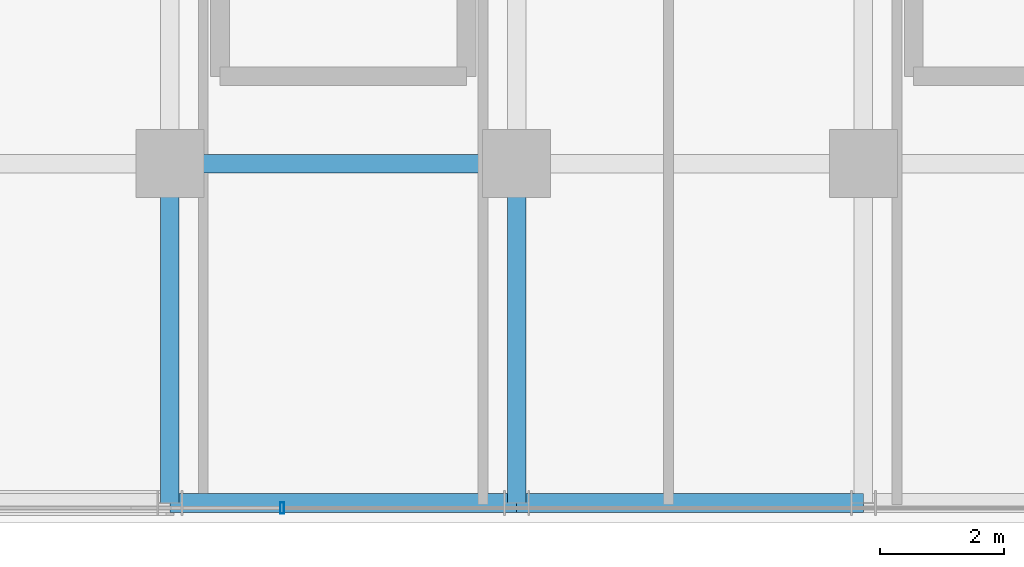
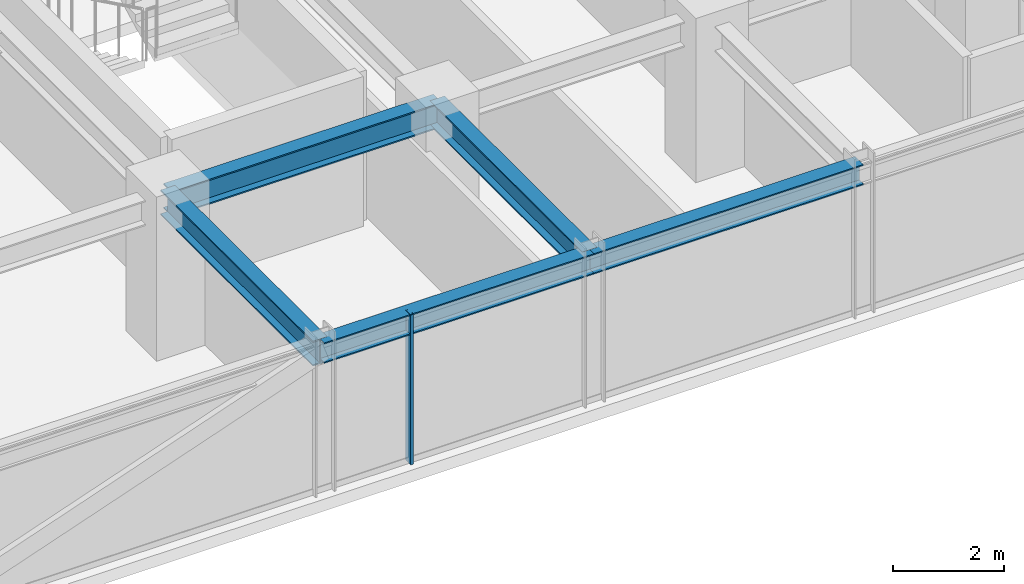
# One storey, part 4 of 32: 5 beams, 1 member, 1 element without a shape of its own.
"""IFC4 building model written with IfcOpenShell, lengths in metres."""

from ifc_helpers import new_model, si_unit, direction, frame, origin, origin_2d, place, context, subcontext, project, spatial, hollow_rectangle, i_section, extrude, source, transform, mapped, material, material_profile, profile_set, type_object, element, aggregate, save


model = new_model("IFC4")

# Units and contexts
model_context = context("Model", 3, precision=1e-05, world=origin(), true_north=direction((0.0, 1.0)))
body_context = subcontext(model_context, "Body", "Model", "MODEL_VIEW")
ifc_project = project(units=[si_unit("LENGTHUNIT", "METRE"), si_unit("AREAUNIT", "SQUARE_METRE"), si_unit("VOLUMEUNIT", "CUBIC_METRE"), si_unit("PLANEANGLEUNIT", "RADIAN"), si_unit("MASSUNIT", "GRAM", prefix="KILO")], contexts=[model_context])

# Site, building, storey
site_placement = place(None, origin())
site = spatial("IfcSite", under=ifc_project, at=site_placement, CompositionType="ELEMENT")
building_placement = place(site_placement, origin())
building = spatial("IfcBuilding", under=site, at=building_placement, Name="Nahalor Promenade Grand Hotel", CompositionType="ELEMENT")
storey_placement = place(building_placement, frame((0.0, 0.0, 196.449951171875)))
storey = spatial("IfcBuildingStorey", under=building, at=storey_placement, Name="L50", CompositionType="ELEMENT", Elevation=196.449951171875)

# Beams
ifc_material_1 = material(Name="Steel S355JR", Category="steel")
ifc_material_profile_1 = material_profile(ifc_material_1, i_section(OverallWidth=0.3, OverallDepth=0.55, WebThickness=0.015, FlangeThickness=0.029, at=origin_2d()), Name="HEB 550")
ifc_profile_set_1 = profile_set([ifc_material_profile_1], Name="Steel S355JR")
beam_type_1 = type_object("IfcBeamType", Name="Beam-Girder-HEB550", PredefinedType="BEAM", material=ifc_profile_set_1)
shared_shape_1 = source(origin(), body_context, "Body", "SweptSolid", [
    extrude(i_section(OverallWidth=0.3, OverallDepth=0.55, WebThickness=0.015, FlangeThickness=0.029, at=origin_2d()), origin(), (0.0, 0.0, 1.0), 5.599853515625),
])
beam_1_placement = place(storey_placement, frame((-8.39990234375, -17.0, 3.01513671875), z_axis=(1.0, 0.0, 0.0), x_axis=(0.0, 1.0, 0.0)))
element("IfcBeam", 1, at=beam_1_placement, inside=storey, type_object=beam_type_1, Name="BM-L50-GX-0-2", PredefinedType="BEAM", context=body_context, shape_type="MappedRepresentation", body=[
    mapped(shared_shape_1, transform((0.0, 0.0, 0.0), scale=1.0)),
])
shared_shape_2 = source(origin(), body_context, "Body", "SweptSolid", [
    extrude(i_section(OverallWidth=0.3, OverallDepth=0.55, WebThickness=0.015, FlangeThickness=0.029, at=origin_2d()), origin(), (0.0, 0.0, 1.0), 5.47998046875),
])
for number, where, z_axis, x_axis, name in (
    (2, (-8.39990234375, -22.47998046875, 3.01513671875), (0.0, 1.0, 0.0), (-1.0, 0.0, 0.0), "BM-L50-GY-1-0"),
    (3, (-2.800048828125, -22.47998046875, 3.01513671875), (0.0, 1.0, 0.0), (-1.0, 0.0, 0.0), "BM-L50-GY-2-0"),
):
    element("IfcBeam", number, at=place(storey_placement, frame(where, z_axis=z_axis, x_axis=x_axis)), inside=storey, type_object=beam_type_1, Name=name, PredefinedType="BEAM", context=body_context, shape_type="MappedRepresentation", body=[
        mapped(shared_shape_2, transform((0.0, 0.0, 0.0), scale=1.0)),
    ])
ifc_material_profile_2 = material_profile(ifc_material_1, i_section(OverallWidth=0.3, OverallDepth=0.45, WebThickness=0.014, FlangeThickness=0.026, at=origin_2d()), Name="HEB 450")
ifc_profile_set_2 = profile_set([ifc_material_profile_2], Name="Steel S355JR")
beam_type_2 = type_object("IfcBeamType", Name="Beam-Spandrel-HEB450", PredefinedType="SPANDREL", material=ifc_profile_set_2)
shared_shape_3 = source(origin(), body_context, "Body", "SweptSolid", [
    extrude(i_section(OverallWidth=0.3, OverallDepth=0.45, WebThickness=0.014, FlangeThickness=0.026, at=origin_2d()), origin(), (0.0, 0.0, 1.0), 5.599853515625),
])
beam_2_placement = place(storey_placement, frame((-8.39990234375, -22.47998046875, 3.06494140625), z_axis=(1.0, 0.0, 0.0), x_axis=(0.0, 1.0, 0.0)))
element("IfcBeam", 4, at=beam_2_placement, inside=storey, type_object=beam_type_2, Name="BM-L50-SP-S-1", PredefinedType="SPANDREL", context=body_context, shape_type="MappedRepresentation", body=[
    mapped(shared_shape_3, transform((0.0, 0.0, 0.0), scale=1.0)),
])
shared_shape_4 = source(origin(), body_context, "Body", "SweptSolid", [
    extrude(i_section(OverallWidth=0.3, OverallDepth=0.45, WebThickness=0.014, FlangeThickness=0.026, at=origin_2d()), origin(), (0.0, 0.0, 1.0), 5.60009765625),
])
beam_3_placement = place(storey_placement, frame((-2.800048828125, -22.47998046875, 3.06494140625), z_axis=(1.0, 0.0, 0.0), x_axis=(0.0, 1.0, 0.0)))
element("IfcBeam", 5, at=beam_3_placement, inside=storey, type_object=beam_type_2, Name="BM-L50-SP-S-2", PredefinedType="SPANDREL", context=body_context, shape_type="MappedRepresentation", body=[
    mapped(shared_shape_4, transform((0.0, 0.0, 0.0), scale=1.0)),
])

# Curtain wall, member
ifc_material_2 = material(Name="Anodised Bronze Aluminium EN AW-6063 T6", Category="aluminium")
curtain_wall_type = type_object("IfcCurtainWallType", Name="CW2 Typical Hotel Flush Bronze Unitised Curtain Wall", PredefinedType="USERDEFINED", material=ifc_material_2)
curtain_wall_placement = place(storey_placement, origin())
curtain_wall = element("IfcCurtainWall", 6, at=curtain_wall_placement, inside=storey, type_object=curtain_wall_type, Name="L50 Curtain Wall CW-L50-S-1", ObjectType="UNITISED_CURTAIN_WALL", PredefinedType="USERDEFINED")
ifc_material_profile_3 = material_profile(ifc_material_2, hollow_rectangle(XDim=0.065, YDim=0.18, WallThickness=0.004, at=origin_2d()), Name="CWM 65x180x4")
ifc_profile_set_3 = profile_set([ifc_material_profile_3], Name="Anodised Bronze Aluminium EN AW-6063 T6")
member_type = type_object("IfcMemberType", Name="CWM2 Typical Bronze Mullion 65x180", PredefinedType="MULLION", material=ifc_profile_set_3)
shared_shape_5 = source(origin(), body_context, "Body", "SweptSolid", [
    extrude(hollow_rectangle(XDim=0.065, YDim=0.18, WallThickness=0.004, at=origin_2d()), origin(), (0.0, 0.0, 1.0), 3.2900390625),
])
member_placement = place(storey_placement, frame((-6.586669921875, -22.56005859375, 0.0), z_axis=(0.0, 0.0, 1.0), x_axis=(1.0, 0.0, 0.0)))
member = element("IfcMember", 7, at=member_placement, type_object=member_type, Name="CW-L50-S-1 Mullion 1", PredefinedType="MULLION", context=body_context, shape_type="MappedRepresentation", body=[
    mapped(shared_shape_5, transform((0.0, 0.0, 0.0), scale=1.0)),
])
aggregate(curtain_wall, [member])

save(model, "model.ifc")
